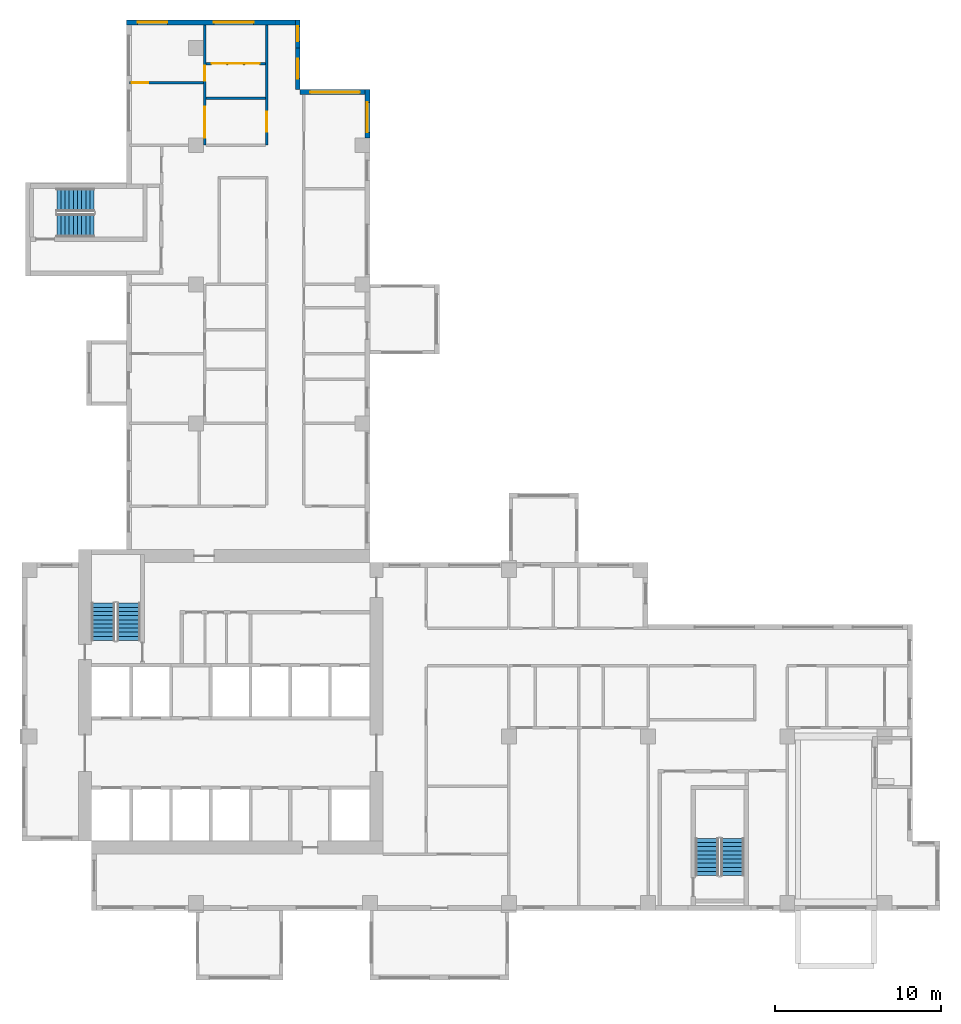
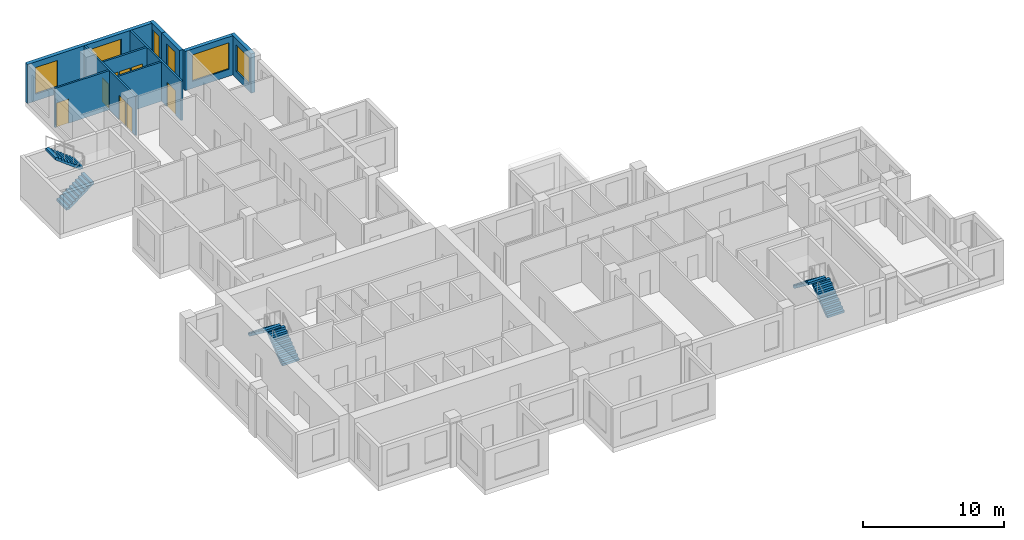
# One storey, part 8 of 12: 10 walls, 8 doors, 6 stair flights, 6 windows, 14 openings, 3 elements without a shape of their own.
"""IFC4 building model written with IfcOpenShell, lengths in metres."""

from ifc_helpers import new_model, si_unit, direction, frame, frame_2d, origin, place, context, subcontext, project, spatial, polyline, rectangle, outline, extrude, source, transform, mapped, material, layer, layer_set, type_object, element, fill, aggregate, save


model = new_model("IFC4")

# Units and contexts
model_context = context("Model", 3, precision=1e-05, world=origin(), true_north=direction((0.0, 1.0)))
body_context = subcontext(model_context, "Body", "Model", "MODEL_VIEW")
ifc_project = project(units=[si_unit("LENGTHUNIT", "METRE"), si_unit("AREAUNIT", "SQUARE_METRE"), si_unit("VOLUMEUNIT", "CUBIC_METRE"), si_unit("PLANEANGLEUNIT", "RADIAN"), si_unit("MASSUNIT", "GRAM", prefix="KILO")], contexts=[model_context])

# Site, building, storey
site_placement = place(None, origin())
site = spatial("IfcSite", under=ifc_project, at=site_placement, CompositionType="ELEMENT")
building_placement = place(site_placement, origin())
building = spatial("IfcBuilding", under=site, at=building_placement, Name="Aurelian Terraces", CompositionType="ELEMENT")
storey_placement = place(building_placement, frame((0.0, 0.0, 219.6)))
storey = spatial("IfcBuildingStorey", under=building, at=storey_placement, Name="L49", CompositionType="ELEMENT", Elevation=219.6)

# Wall, opening, window
ifc_material_1 = material(Name="Terracotta rainscreen cladding", Category="masonry")
ifc_layer_1 = layer(ifc_material_1, 0.3)
ifc_layer_set_1 = layer_set([ifc_layer_1], Name="EW-300")
wall_type_1 = type_object("IfcWallType", Name="EW-300", PredefinedType="STANDARD", material=ifc_layer_set_1)
shared_shape_1 = source(origin(), body_context, "Body", "SweptSolid", [
    extrude(rectangle(XDim=2.91, YDim=0.3, at=frame_2d((1.455, 0.0))), origin(), (0.0, 0.0, 1.0), 3.4),
])
wall_1_placement = place(storey_placement, frame((20.85, 46.65, 0.0), z_axis=(0.0, 0.0, 1.0), x_axis=(0.0, 1.0, 0.0)))
wall_1 = element("IfcWall", 1, at=wall_1_placement, inside=storey, type_object=wall_type_1, Name="External wall L49 F08.20", PredefinedType="STANDARD", context=body_context, shape_type="MappedRepresentation", body=[
    mapped(shared_shape_1, transform((0.0, 0.0, 0.0), scale=1.0)),
])
shared_shape_2 = source(origin(), body_context, "Body", "SweptSolid", [
    extrude(rectangle(XDim=1.8, YDim=2.3, at=frame_2d((0.9, 1.15))), frame((0.0, 0.16, 0.0), z_axis=(0.0, -1.0, 0.0), x_axis=(1.0, 0.0, 0.0)), (0.0, 0.0, 1.0), 0.32),
])
opening_1_placement = place(wall_1_placement, frame((0.33, 0.0, 0.6)))
opening_1 = element("IfcOpeningElement", 2, at=opening_1_placement, cuts=wall_1, Name="Opening W1823", PredefinedType="OPENING", context=body_context, shape_type="MappedRepresentation", body=[
    mapped(shared_shape_2, transform((0.0, 0.0, 0.0), scale=1.0)),
])
ifc_material_2 = material(Name="Clear glazing", Category="glass")
window_type_1 = type_object("IfcWindowType", Name="W-1800x2300", PartitioningType="SINGLE_PANEL", PredefinedType="WINDOW", material=ifc_material_2)
shared_shape_3 = source(origin(), body_context, "Body", "SweptSolid", [
    extrude(rectangle(XDim=1.8, YDim=2.3, at=frame_2d((0.9, 1.15))), frame((0.0, 0.03, 0.0), z_axis=(0.0, -1.0, 0.0), x_axis=(1.0, 0.0, 0.0)), (0.0, 0.0, 1.0), 0.06),
])
window_1_placement = place(opening_1_placement, origin())
window_1 = element("IfcWindow", 3, at=window_1_placement, inside=storey, type_object=window_type_1, Name="Window L49 L49-F08-20-0", OverallHeight=2.3, OverallWidth=1.8, PartitioningType="SINGLE_PANEL", PredefinedType="WINDOW", context=body_context, shape_type="MappedRepresentation", body=[
    mapped(shared_shape_3, transform((0.0, 0.0, 0.0), scale=1.0)),
])
fill(opening_1, window_1)

shared_shape_4 = source(origin(), body_context, "Body", "SweptSolid", [
    extrude(rectangle(XDim=4.2, YDim=0.3, at=frame_2d((2.1, 0.0))), origin(), (0.0, 0.0, 1.0), 3.4),
])
wall_2_placement = place(storey_placement, frame((21.0, 49.41, 0.0), z_axis=(0.0, 0.0, 1.0), x_axis=(-1.0, 0.0, 0.0)))
wall_2 = element("IfcWall", 4, at=wall_2_placement, inside=storey, type_object=wall_type_1, Name="External wall L49 F09.21", PredefinedType="STANDARD", context=body_context, shape_type="MappedRepresentation", body=[
    mapped(shared_shape_4, transform((0.0, 0.0, 0.0), scale=1.0)),
])
shared_shape_5 = source(origin(), body_context, "Body", "SweptSolid", [
    extrude(rectangle(XDim=3.0, YDim=2.3, at=frame_2d((1.5, 1.15))), frame((0.0, 0.16, 0.0), z_axis=(0.0, -1.0, 0.0), x_axis=(1.0, 0.0, 0.0)), (0.0, 0.0, 1.0), 0.32),
])
opening_2_placement = place(wall_2_placement, frame((0.6, 0.0, 0.6)))
opening_2 = element("IfcOpeningElement", 5, at=opening_2_placement, cuts=wall_2, Name="Opening W3023", PredefinedType="OPENING", context=body_context, shape_type="MappedRepresentation", body=[
    mapped(shared_shape_5, transform((0.0, 0.0, 0.0), scale=1.0)),
])
window_type_2 = type_object("IfcWindowType", Name="W-3000x2300", PartitioningType="SINGLE_PANEL", PredefinedType="WINDOW", material=ifc_material_2)
shared_shape_6 = source(origin(), body_context, "Body", "SweptSolid", [
    extrude(rectangle(XDim=3.0, YDim=2.3, at=frame_2d((1.5, 1.15))), frame((0.0, 0.03, 0.0), z_axis=(0.0, -1.0, 0.0), x_axis=(1.0, 0.0, 0.0)), (0.0, 0.0, 1.0), 0.06),
])
window_2_placement = place(opening_2_placement, origin())
window_2 = element("IfcWindow", 6, at=window_2_placement, inside=storey, type_object=window_type_2, Name="Window L49 L49-F09-21-0", OverallHeight=2.3, OverallWidth=3.0, PartitioningType="SINGLE_PANEL", PredefinedType="WINDOW", context=body_context, shape_type="MappedRepresentation", body=[
    mapped(shared_shape_6, transform((0.0, 0.0, 0.0), scale=1.0)),
])
fill(opening_2, window_2)

shared_shape_7 = source(origin(), body_context, "Body", "SweptSolid", [
    extrude(rectangle(XDim=2.52, YDim=0.3, at=frame_2d((1.26, 0.0))), origin(), (0.0, 0.0, 1.0), 3.4),
])
wall_3_placement = place(storey_placement, frame((16.65, 49.56, 0.0), z_axis=(0.0, 0.0, 1.0), x_axis=(0.0, 1.0, 0.0)))
wall_3 = element("IfcWall", 7, at=wall_3_placement, inside=storey, type_object=wall_type_1, Name="External wall L49 F10.22", PredefinedType="STANDARD", context=body_context, shape_type="MappedRepresentation", body=[
    mapped(shared_shape_7, transform((0.0, 0.0, 0.0), scale=1.0)),
])
shared_shape_8 = source(origin(), body_context, "Body", "SweptSolid", [
    extrude(rectangle(XDim=1.2, YDim=2.3, at=frame_2d((0.6, 1.15))), frame((0.0, 0.16, 0.0), z_axis=(0.0, -1.0, 0.0), x_axis=(1.0, 0.0, 0.0)), (0.0, 0.0, 1.0), 0.32),
])
opening_3_placement = place(wall_3_placement, frame((0.66, 0.0, 0.6)))
opening_3 = element("IfcOpeningElement", 8, at=opening_3_placement, cuts=wall_3, Name="Opening W1223", PredefinedType="OPENING", context=body_context, shape_type="MappedRepresentation", body=[
    mapped(shared_shape_8, transform((0.0, 0.0, 0.0), scale=1.0)),
])
window_type_3 = type_object("IfcWindowType", Name="W-1200x2300", PartitioningType="SINGLE_PANEL", PredefinedType="WINDOW", material=ifc_material_2)
shared_shape_9 = source(origin(), body_context, "Body", "SweptSolid", [
    extrude(rectangle(XDim=1.2, YDim=2.3, at=frame_2d((0.6, 1.15))), frame((0.0, 0.03, 0.0), z_axis=(0.0, -1.0, 0.0), x_axis=(1.0, 0.0, 0.0)), (0.0, 0.0, 1.0), 0.06),
])
window_3_placement = place(opening_3_placement, origin())
window_3 = element("IfcWindow", 9, at=window_3_placement, inside=storey, type_object=window_type_3, Name="Window L49 L49-F10-22-0", OverallHeight=2.3, OverallWidth=1.2, PartitioningType="SINGLE_PANEL", PredefinedType="WINDOW", context=body_context, shape_type="MappedRepresentation", body=[
    mapped(shared_shape_9, transform((0.0, 0.0, 0.0), scale=1.0)),
])
fill(opening_3, window_3)

shared_shape_10 = source(origin(), body_context, "Body", "SweptSolid", [
    extrude(rectangle(XDim=1.68, YDim=0.3, at=frame_2d((0.84, 0.0))), origin(), (0.0, 0.0, 1.0), 3.4),
])
wall_4_placement = place(storey_placement, frame((16.65, 52.08, 0.0), z_axis=(0.0, 0.0, 1.0), x_axis=(0.0, 1.0, 0.0)))
wall_4 = element("IfcWall", 10, at=wall_4_placement, inside=storey, type_object=wall_type_1, Name="External wall L49 F10.23", PredefinedType="STANDARD", context=body_context, shape_type="MappedRepresentation", body=[
    mapped(shared_shape_10, transform((0.0, 0.0, 0.0), scale=1.0)),
])
shared_shape_11 = source(origin(), body_context, "Body", "SweptSolid", [
    extrude(rectangle(XDim=0.9, YDim=2.3, at=frame_2d((0.45, 1.15))), frame((0.0, 0.16, 0.0), z_axis=(0.0, -1.0, 0.0), x_axis=(1.0, 0.0, 0.0)), (0.0, 0.0, 1.0), 0.32),
])
opening_4_placement = place(wall_4_placement, frame((0.39, 0.0, 0.6)))
opening_4 = element("IfcOpeningElement", 11, at=opening_4_placement, cuts=wall_4, Name="Opening W0923", PredefinedType="OPENING", context=body_context, shape_type="MappedRepresentation", body=[
    mapped(shared_shape_11, transform((0.0, 0.0, 0.0), scale=1.0)),
])
window_type_4 = type_object("IfcWindowType", Name="W-900x2300", PartitioningType="SINGLE_PANEL", PredefinedType="WINDOW", material=ifc_material_2)
shared_shape_12 = source(origin(), body_context, "Body", "SweptSolid", [
    extrude(rectangle(XDim=0.9, YDim=2.3, at=frame_2d((0.45, 1.15))), frame((0.0, 0.03, 0.0), z_axis=(0.0, -1.0, 0.0), x_axis=(1.0, 0.0, 0.0)), (0.0, 0.0, 1.0), 0.06),
])
window_4_placement = place(opening_4_placement, origin())
window_4 = element("IfcWindow", 12, at=window_4_placement, inside=storey, type_object=window_type_4, Name="Window L49 L49-F10-23-P0", OverallHeight=2.3, OverallWidth=0.9, PartitioningType="SINGLE_PANEL", PredefinedType="WINDOW", context=body_context, shape_type="MappedRepresentation", body=[
    mapped(shared_shape_12, transform((0.0, 0.0, 0.0), scale=1.0)),
])
fill(opening_4, window_4)

# Wall, openings, windows
shared_shape_13 = source(origin(), body_context, "Body", "SweptSolid", [
    extrude(rectangle(XDim=10.5, YDim=0.3, at=frame_2d((5.25, 0.0))), origin(), (0.0, 0.0, 1.0), 3.4),
])
wall_5_placement = place(storey_placement, frame((16.8, 53.61, 0.0), z_axis=(0.0, 0.0, 1.0), x_axis=(-1.0, 0.0, 0.0)))
wall_5 = element("IfcWall", 13, at=wall_5_placement, inside=storey, type_object=wall_type_1, Name="External wall L49 F11.24", PredefinedType="STANDARD", context=body_context, shape_type="MappedRepresentation", body=[
    mapped(shared_shape_13, transform((0.0, 0.0, 0.0), scale=1.0)),
])
opening_5_placement = place(wall_5_placement, frame((8.025, 0.0, 0.6)))
opening_5 = element("IfcOpeningElement", 14, at=opening_5_placement, cuts=wall_5, Name="Opening W1823", PredefinedType="OPENING", context=body_context, shape_type="MappedRepresentation", body=[
    mapped(shared_shape_2, transform((0.0, 0.0, 0.0), scale=1.0)),
])
shared_shape_14 = source(origin(), body_context, "Body", "SweptSolid", [
    extrude(rectangle(XDim=2.4, YDim=2.3, at=frame_2d((1.2, 1.15))), frame((0.0, 0.16, 0.0), z_axis=(0.0, -1.0, 0.0), x_axis=(1.0, 0.0, 0.0)), (0.0, 0.0, 1.0), 0.32),
])
opening_6_placement = place(wall_5_placement, frame((2.8125, 0.0, 0.6)))
opening_6 = element("IfcOpeningElement", 15, at=opening_6_placement, cuts=wall_5, Name="Opening W2423", PredefinedType="OPENING", context=body_context, shape_type="MappedRepresentation", body=[
    mapped(shared_shape_14, transform((0.0, 0.0, 0.0), scale=1.0)),
])
window_5_placement = place(opening_5_placement, origin())
window_5 = element("IfcWindow", 16, at=window_5_placement, inside=storey, type_object=window_type_1, Name="Window L49 L49-F11-24-2", OverallHeight=2.3, OverallWidth=1.8, PartitioningType="SINGLE_PANEL", PredefinedType="WINDOW", context=body_context, shape_type="MappedRepresentation", body=[
    mapped(shared_shape_3, transform((0.0, 0.0, 0.0), scale=1.0)),
])
fill(opening_5, window_5)
window_type_5 = type_object("IfcWindowType", Name="W-2400x2300", PartitioningType="SINGLE_PANEL", PredefinedType="WINDOW", material=ifc_material_2)
shared_shape_15 = source(origin(), body_context, "Body", "SweptSolid", [
    extrude(rectangle(XDim=2.4, YDim=2.3, at=frame_2d((1.2, 1.15))), frame((0.0, 0.03, 0.0), z_axis=(0.0, -1.0, 0.0), x_axis=(1.0, 0.0, 0.0)), (0.0, 0.0, 1.0), 0.06),
])
window_6_placement = place(opening_6_placement, origin())
window_6 = element("IfcWindow", 17, at=window_6_placement, inside=storey, type_object=window_type_5, Name="Window L49 L49-F11-24-G0-0", OverallHeight=2.3, OverallWidth=2.4, PartitioningType="SINGLE_PANEL", PredefinedType="WINDOW", context=body_context, shape_type="MappedRepresentation", body=[
    mapped(shared_shape_15, transform((0.0, 0.0, 0.0), scale=1.0)),
])
fill(opening_6, window_6)

# Wall
ifc_material_3 = material(Name="Gypsum board on steel studs", Category="steel")
ifc_layer_2 = layer(ifc_material_3, 0.15)
ifc_layer_set_2 = layer_set([ifc_layer_2], Name="Partition 150")
wall_type_2 = type_object("IfcWallType", Name="Partition 150", PredefinedType="PARTITIONING", material=ifc_layer_set_2)
shared_shape_16 = source(origin(), body_context, "Body", "SweptSolid", [
    extrude(rectangle(XDim=3.6, YDim=0.15, at=frame_2d((1.8, 0.0))), origin(), (0.0, 0.0, 1.0), 3.4),
])
wall_6_placement = place(storey_placement, frame((14.7, 49.0491, 0.0), z_axis=(0.0, 0.0, 1.0), x_axis=(-1.0, 0.0, 0.0)))
element("IfcWall", 18, at=wall_6_placement, inside=storey, type_object=wall_type_2, Name="Partition", PredefinedType="PARTITIONING", context=body_context, shape_type="MappedRepresentation", body=[
    mapped(shared_shape_16, transform((0.0, 0.0, 0.0), scale=1.0)),
])

# Wall, openings, doors
wall_7_placement = place(storey_placement, frame((14.7, 51.1297, 0.0), z_axis=(0.0, 0.0, 1.0), x_axis=(-1.0, 0.0, 0.0)))
wall_7 = element("IfcWall", 19, at=wall_7_placement, inside=storey, type_object=wall_type_2, Name="Partition", PredefinedType="PARTITIONING", context=body_context, shape_type="MappedRepresentation", body=[
    mapped(shared_shape_16, transform((0.0, 0.0, 0.0), scale=1.0)),
])
shared_shape_17 = source(origin(), body_context, "Body", "SweptSolid", [
    extrude(rectangle(XDim=0.9, YDim=2.1, at=frame_2d((0.45, 1.05))), frame((0.0, 0.085, 0.0), z_axis=(0.0, -1.0, 0.0), x_axis=(1.0, 0.0, 0.0)), (0.0, 0.0, 1.0), 0.17),
])
opening_7_placement = place(wall_7_placement, frame((1.35, 0.0, 0.0)))
opening_7 = element("IfcOpeningElement", 20, at=opening_7_placement, cuts=wall_7, Name="Opening 749043", PredefinedType="OPENING", context=body_context, shape_type="MappedRepresentation", body=[
    mapped(shared_shape_17, transform((0.0, 0.0, 0.0), scale=1.0)),
])
opening_8_placement = place(wall_7_placement, frame((0.35, 0.0, 0.0)))
opening_8 = element("IfcOpeningElement", 21, at=opening_8_placement, cuts=wall_7, Name="Opening 749045", PredefinedType="OPENING", context=body_context, shape_type="MappedRepresentation", body=[
    mapped(shared_shape_17, transform((0.0, 0.0, 0.0), scale=1.0)),
])
opening_9_placement = place(wall_7_placement, frame((2.35, 0.0, 0.0)))
opening_9 = element("IfcOpeningElement", 22, at=opening_9_placement, cuts=wall_7, Name="Opening 749047", PredefinedType="OPENING", context=body_context, shape_type="MappedRepresentation", body=[
    mapped(shared_shape_17, transform((0.0, 0.0, 0.0), scale=1.0)),
])
ifc_material_4 = material(Name="Timber door leaf", Category="wood")
door_type_1 = type_object("IfcDoorType", Name="Room door 900x2100 left", OperationType="SINGLE_SWING_LEFT", PredefinedType="DOOR", material=ifc_material_4)
shared_shape_18 = source(origin(), body_context, "Body", "SweptSolid", [
    extrude(rectangle(XDim=0.9, YDim=2.1, at=frame_2d((0.45, 1.05))), frame((0.0, 0.025, 0.0), z_axis=(0.0, -1.0, 0.0), x_axis=(1.0, 0.0, 0.0)), (0.0, 0.0, 1.0), 0.05),
])
door_1_placement = place(opening_7_placement, origin())
door_1 = element("IfcDoor", 23, at=door_1_placement, inside=storey, type_object=door_type_1, Name="Door 749043", OperationType="SINGLE_SWING_LEFT", OverallHeight=2.1, OverallWidth=0.9, PredefinedType="DOOR", context=body_context, shape_type="MappedRepresentation", body=[
    mapped(shared_shape_18, transform((0.0, 0.0, 0.0), scale=1.0)),
])
fill(opening_7, door_1)
ifc_material_5 = material(Name="Steel door leaf", Category="steel")
door_type_2 = type_object("IfcDoorType", Name="Entrance fire door 900x2100 left", OperationType="SINGLE_SWING_LEFT", PredefinedType="DOOR", material=ifc_material_5)
door_2_placement = place(opening_8_placement, origin())
door_2 = element("IfcDoor", 24, at=door_2_placement, inside=storey, type_object=door_type_2, Name="Door 749045", OperationType="SINGLE_SWING_LEFT", OverallHeight=2.1, OverallWidth=0.9, PredefinedType="DOOR", context=body_context, shape_type="MappedRepresentation", body=[
    mapped(shared_shape_18, transform((0.0, 0.0, 0.0), scale=1.0)),
])
fill(opening_8, door_2)
door_3_placement = place(opening_9_placement, origin())
door_3 = element("IfcDoor", 25, at=door_3_placement, inside=storey, type_object=door_type_2, Name="Door 749047", OperationType="SINGLE_SWING_LEFT", OverallHeight=2.1, OverallWidth=0.9, PredefinedType="DOOR", context=body_context, shape_type="MappedRepresentation", body=[
    mapped(shared_shape_18, transform((0.0, 0.0, 0.0), scale=1.0)),
])
fill(opening_9, door_3)

shared_shape_19 = source(origin(), body_context, "Body", "SweptSolid", [
    extrude(rectangle(XDim=7.26, YDim=0.15, at=frame_2d((3.63, 0.0))), origin(), (0.0, 0.0, 1.0), 3.4),
])
wall_8_placement = place(storey_placement, frame((11.025, 46.2, 0.0), z_axis=(0.0, 0.0, 1.0), x_axis=(0.0, 1.0, 0.0)))
wall_8 = element("IfcWall", 26, at=wall_8_placement, inside=storey, type_object=wall_type_2, Name="Partition", PredefinedType="PARTITIONING", context=body_context, shape_type="MappedRepresentation", body=[
    mapped(shared_shape_19, transform((0.0, 0.0, 0.0), scale=1.0)),
])
opening_10_placement = place(wall_8_placement, frame((1.412, 0.0, 0.0)))
opening_10 = element("IfcOpeningElement", 27, at=opening_10_placement, cuts=wall_8, Name="Opening 749031", PredefinedType="OPENING", context=body_context, shape_type="MappedRepresentation", body=[
    mapped(shared_shape_17, transform((0.0, 0.0, 0.0), scale=1.0)),
])
opening_11_placement = place(wall_8_placement, frame((0.46, 0.0, 0.0)))
opening_11 = element("IfcOpeningElement", 28, at=opening_11_placement, cuts=wall_8, Name="Opening 749032", PredefinedType="OPENING", context=body_context, shape_type="MappedRepresentation", body=[
    mapped(shared_shape_17, transform((0.0, 0.0, 0.0), scale=1.0)),
])
opening_12_placement = place(wall_8_placement, frame((3.901, 0.0, 0.0)))
opening_12 = element("IfcOpeningElement", 29, at=opening_12_placement, cuts=wall_8, Name="Opening 749034", PredefinedType="OPENING", context=body_context, shape_type="MappedRepresentation", body=[
    mapped(shared_shape_17, transform((0.0, 0.0, 0.0), scale=1.0)),
])
door_type_3 = type_object("IfcDoorType", Name="Room door 900x2100 right", OperationType="SINGLE_SWING_RIGHT", PredefinedType="DOOR", material=ifc_material_4)
door_4_placement = place(opening_10_placement, origin())
door_4 = element("IfcDoor", 30, at=door_4_placement, inside=storey, type_object=door_type_3, Name="Door 749031", OperationType="SINGLE_SWING_RIGHT", OverallHeight=2.1, OverallWidth=0.9, PredefinedType="DOOR", context=body_context, shape_type="MappedRepresentation", body=[
    mapped(shared_shape_18, transform((0.0, 0.0, 0.0), scale=1.0)),
])
fill(opening_10, door_4)
door_5_placement = place(opening_11_placement, origin())
door_5 = element("IfcDoor", 31, at=door_5_placement, inside=storey, type_object=door_type_1, Name="Door 749032", OperationType="SINGLE_SWING_LEFT", OverallHeight=2.1, OverallWidth=0.9, PredefinedType="DOOR", context=body_context, shape_type="MappedRepresentation", body=[
    mapped(shared_shape_18, transform((0.0, 0.0, 0.0), scale=1.0)),
])
fill(opening_11, door_5)
door_6_placement = place(opening_12_placement, origin())
door_6 = element("IfcDoor", 32, at=door_6_placement, inside=storey, type_object=door_type_1, Name="Door 749034", OperationType="SINGLE_SWING_LEFT", OverallHeight=2.1, OverallWidth=0.9, PredefinedType="DOOR", context=body_context, shape_type="MappedRepresentation", body=[
    mapped(shared_shape_18, transform((0.0, 0.0, 0.0), scale=1.0)),
])
fill(opening_12, door_6)

# Wall, opening, door
ifc_layer_3 = layer(ifc_material_3, 0.15)
ifc_layer_set_3 = layer_set([ifc_layer_3], Name="Fire partition 150")
wall_type_3 = type_object("IfcWallType", Name="Fire partition 150", PredefinedType="PARTITIONING", material=ifc_layer_set_3)
wall_9_placement = place(storey_placement, frame((14.775, 46.2, 0.0), z_axis=(0.0, 0.0, 1.0), x_axis=(0.0, 1.0, 0.0)))
wall_9 = element("IfcWall", 33, at=wall_9_placement, inside=storey, type_object=wall_type_3, Name="Corridor wall", PredefinedType="PARTITIONING", context=body_context, shape_type="MappedRepresentation", body=[
    mapped(shared_shape_19, transform((0.0, 0.0, 0.0), scale=1.0)),
])
shared_shape_20 = source(origin(), body_context, "Body", "SweptSolid", [
    extrude(rectangle(XDim=1.2, YDim=2.1, at=frame_2d((0.6, 1.05))), frame((0.0, 0.085, 0.0), z_axis=(0.0, -1.0, 0.0), x_axis=(1.0, 0.0, 0.0)), (0.0, 0.0, 1.0), 0.17),
])
opening_13_placement = place(wall_9_placement, frame((0.8246, 0.0, 0.0)))
opening_13 = element("IfcOpeningElement", 34, at=opening_13_placement, cuts=wall_9, Name="Opening 749030", PredefinedType="OPENING", context=body_context, shape_type="MappedRepresentation", body=[
    mapped(shared_shape_20, transform((0.0, 0.0, 0.0), scale=1.0)),
])
door_type_4 = type_object("IfcDoorType", Name="Entrance fire door 1200x2100 left", OperationType="SINGLE_SWING_LEFT", PredefinedType="DOOR", material=ifc_material_5)
shared_shape_21 = source(origin(), body_context, "Body", "SweptSolid", [
    extrude(rectangle(XDim=1.2, YDim=2.1, at=frame_2d((0.6, 1.05))), frame((0.0, 0.025, 0.0), z_axis=(0.0, -1.0, 0.0), x_axis=(1.0, 0.0, 0.0)), (0.0, 0.0, 1.0), 0.05),
])
door_7_placement = place(opening_13_placement, origin())
door_7 = element("IfcDoor", 35, at=door_7_placement, inside=storey, type_object=door_type_4, Name="Door 749030", OperationType="SINGLE_SWING_LEFT", OverallHeight=2.1, OverallWidth=1.2, PredefinedType="DOOR", context=body_context, shape_type="MappedRepresentation", body=[
    mapped(shared_shape_21, transform((0.0, 0.0, 0.0), scale=1.0)),
])
fill(opening_13, door_7)

shared_shape_22 = source(origin(), body_context, "Body", "SweptSolid", [
    extrude(rectangle(XDim=4.445, YDim=0.15, at=frame_2d((2.2225, 0.0))), origin(), (0.0, 0.0, 1.0), 3.4),
])
wall_10_placement = place(storey_placement, frame((10.95, 49.98, 0.0), z_axis=(0.0, 0.0, 1.0), x_axis=(-1.0, 0.0, 0.0)))
wall_10 = element("IfcWall", 36, at=wall_10_placement, inside=storey, type_object=wall_type_2, Name="Partition", PredefinedType="PARTITIONING", context=body_context, shape_type="MappedRepresentation", body=[
    mapped(shared_shape_22, transform((0.0, 0.0, 0.0), scale=1.0)),
])
shared_shape_23 = source(origin(), body_context, "Body", "SweptSolid", [
    extrude(rectangle(XDim=1.0, YDim=2.1, at=frame_2d((0.5, 1.05))), frame((0.0, 0.085, 0.0), z_axis=(0.0, -1.0, 0.0), x_axis=(1.0, 0.0, 0.0)), (0.0, 0.0, 1.0), 0.17),
])
opening_14_placement = place(wall_10_placement, frame((3.325, 0.0, 0.0)))
opening_14 = element("IfcOpeningElement", 37, at=opening_14_placement, cuts=wall_10, Name="Opening 749033", PredefinedType="OPENING", context=body_context, shape_type="MappedRepresentation", body=[
    mapped(shared_shape_23, transform((0.0, 0.0, 0.0), scale=1.0)),
])
door_type_5 = type_object("IfcDoorType", Name="Room door 1000x2100 right", OperationType="SINGLE_SWING_RIGHT", PredefinedType="DOOR", material=ifc_material_4)
shared_shape_24 = source(origin(), body_context, "Body", "SweptSolid", [
    extrude(rectangle(XDim=1.0, YDim=2.1, at=frame_2d((0.5, 1.05))), frame((0.0, 0.025, 0.0), z_axis=(0.0, -1.0, 0.0), x_axis=(1.0, 0.0, 0.0)), (0.0, 0.0, 1.0), 0.05),
])
door_8_placement = place(opening_14_placement, origin())
door_8 = element("IfcDoor", 38, at=door_8_placement, inside=storey, type_object=door_type_5, Name="Door 749033", OperationType="SINGLE_SWING_RIGHT", OverallHeight=2.1, OverallWidth=1.0, PredefinedType="DOOR", context=body_context, shape_type="MappedRepresentation", body=[
    mapped(shared_shape_24, transform((0.0, 0.0, 0.0), scale=1.0)),
])
fill(opening_14, door_8)

# Stair, stair flights
ifc_material_6 = material(Name="Concrete fc' 40 MPa", Category="concrete")
stair_type = type_object("IfcStairType", Name="Stair 1400", PredefinedType="HALF_TURN_STAIR", material=ifc_material_6)
stair_1_placement = place(storey_placement, origin())
stair_1 = element("IfcStair", 39, at=stair_1_placement, inside=storey, type_object=stair_type, Name="L49 S1", PredefinedType="HALF_TURN_STAIR")
stair_flight_type = type_object("IfcStairFlightType", Name="Stair flight 1400", PredefinedType="STRAIGHT", material=ifc_material_6)
shared_shape_25 = source(origin(), body_context, "Body", "SweptSolid", [
    extrude(outline(polyline([(0.0, 0.0), (0.0, 0.19), (0.25, 0.19), (0.25, 0.38), (0.5, 0.38), (0.5, 0.57), (0.75, 0.57), (0.75, 0.76), (1.0, 0.76), (1.0, 0.95), (1.25, 0.95), (1.25, 1.14), (1.5, 1.14), (1.5, 1.33), (1.75, 1.33), (1.75, 1.52), (2.0, 1.52), (2.0, 1.71), (2.25, 1.71), (2.25, 1.9), (2.25, 1.5216), (0.2479, 0.0), (0.0, 0.0)])), frame((0.0, 0.7, 0.0), z_axis=(0.0, -1.0, 0.0), x_axis=(1.0, 0.0, 0.0)), (0.0, 0.0, 1.0), 1.4),
])
stair_flight_1_placement = place(storey_placement, frame((6.45, 16.3, 2e-08), z_axis=(0.0, 0.0, 1.0), x_axis=(0.0, 1.0, 0.0)))
stair_flight_1 = element("IfcStairFlight", 40, at=stair_flight_1_placement, type_object=stair_flight_type, Name="S1 flight 1", NumberOfRisers=10, NumberOfTreads=9, PredefinedType="STRAIGHT", RiserHeight=0.19, TreadLength=0.25, context=body_context, shape_type="MappedRepresentation", body=[
    mapped(shared_shape_25, transform((0.0, 0.0, 0.0), scale=1.0)),
])
stair_flight_2_placement = place(storey_placement, frame((4.9, 18.55, 1.9000000200000058), z_axis=(0.0, 0.0, 1.0), x_axis=(0.0, -1.0, 0.0)))
stair_flight_2 = element("IfcStairFlight", 41, at=stair_flight_2_placement, type_object=stair_flight_type, Name="S1 flight 2", NumberOfRisers=10, NumberOfTreads=9, PredefinedType="STRAIGHT", RiserHeight=0.19, TreadLength=0.25, context=body_context, shape_type="MappedRepresentation", body=[
    mapped(shared_shape_25, transform((0.0, 0.0, 0.0), scale=1.0)),
])
aggregate(stair_1, [stair_flight_1, stair_flight_2])

stair_2_placement = place(storey_placement, origin())
stair_2 = element("IfcStair", 42, at=stair_2_placement, inside=storey, type_object=stair_type, Name="L49 S2", PredefinedType="HALF_TURN_STAIR")
stair_flight_3_placement = place(storey_placement, frame((42.9, 2.1, 2e-08), z_axis=(0.0, 0.0, 1.0), x_axis=(0.0, 1.0, 0.0)))
stair_flight_3 = element("IfcStairFlight", 43, at=stair_flight_3_placement, type_object=stair_flight_type, Name="S2 flight 1", NumberOfRisers=10, NumberOfTreads=9, PredefinedType="STRAIGHT", RiserHeight=0.19, TreadLength=0.25, context=body_context, shape_type="MappedRepresentation", body=[
    mapped(shared_shape_25, transform((0.0, 0.0, 0.0), scale=1.0)),
])
stair_flight_4_placement = place(storey_placement, frame((41.35, 4.35, 1.9000000200000058), z_axis=(0.0, 0.0, 1.0), x_axis=(0.0, -1.0, 0.0)))
stair_flight_4 = element("IfcStairFlight", 44, at=stair_flight_4_placement, type_object=stair_flight_type, Name="S2 flight 2", NumberOfRisers=10, NumberOfTreads=9, PredefinedType="STRAIGHT", RiserHeight=0.19, TreadLength=0.25, context=body_context, shape_type="MappedRepresentation", body=[
    mapped(shared_shape_25, transform((0.0, 0.0, 0.0), scale=1.0)),
])
aggregate(stair_2, [stair_flight_3, stair_flight_4])

stair_3_placement = place(storey_placement, origin())
stair_3 = element("IfcStair", 45, at=stair_3_placement, inside=storey, type_object=stair_type, Name="L49 S3", PredefinedType="HALF_TURN_STAIR")
stair_flight_5_placement = place(storey_placement, frame((2.1, 41.35, 2e-08), z_axis=(0.0, 0.0, 1.0), x_axis=(1.0, 0.0, 0.0)))
stair_flight_5 = element("IfcStairFlight", 46, at=stair_flight_5_placement, type_object=stair_flight_type, Name="S3 flight 1", NumberOfRisers=10, NumberOfTreads=9, PredefinedType="STRAIGHT", RiserHeight=0.19, TreadLength=0.25, context=body_context, shape_type="MappedRepresentation", body=[
    mapped(shared_shape_25, transform((0.0, 0.0, 0.0), scale=1.0)),
])
stair_flight_6_placement = place(storey_placement, frame((4.35, 42.9, 1.9000000200000058), z_axis=(0.0, 0.0, 1.0), x_axis=(-1.0, 0.0, 0.0)))
stair_flight_6 = element("IfcStairFlight", 47, at=stair_flight_6_placement, type_object=stair_flight_type, Name="S3 flight 2", NumberOfRisers=10, NumberOfTreads=9, PredefinedType="STRAIGHT", RiserHeight=0.19, TreadLength=0.25, context=body_context, shape_type="MappedRepresentation", body=[
    mapped(shared_shape_25, transform((0.0, 0.0, 0.0), scale=1.0)),
])
aggregate(stair_3, [stair_flight_5, stair_flight_6])

save(model, "model.ifc")
